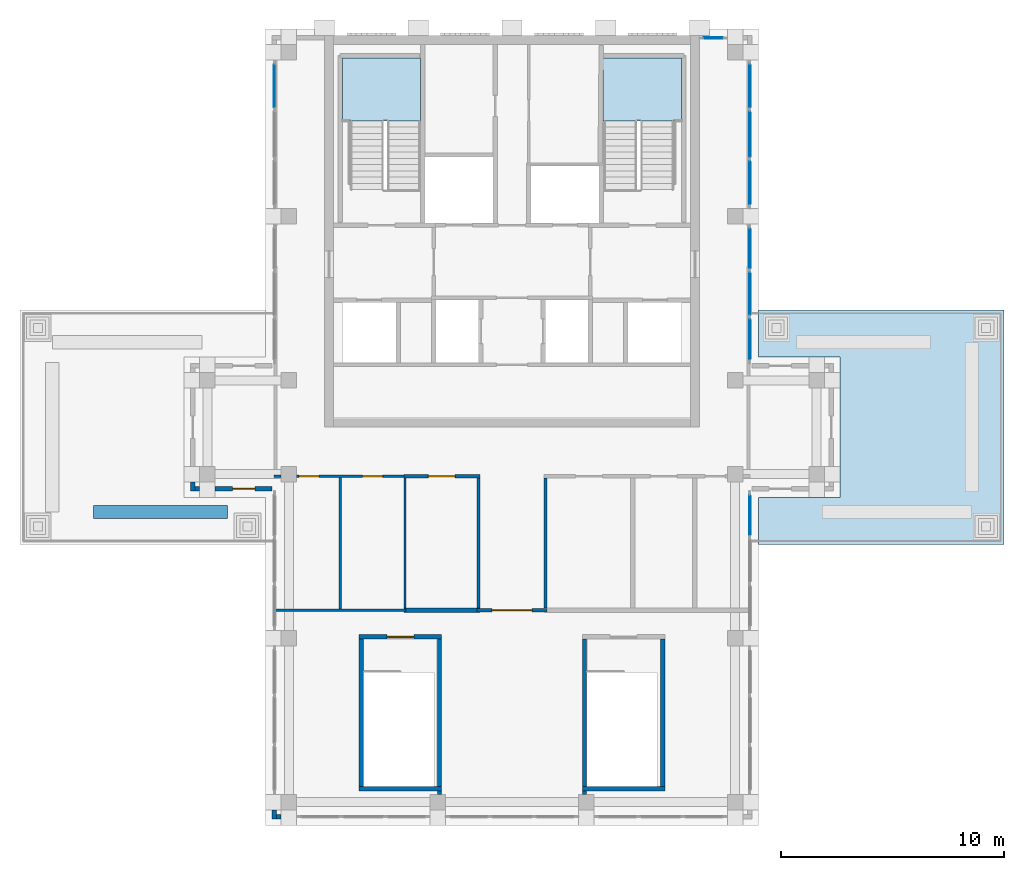
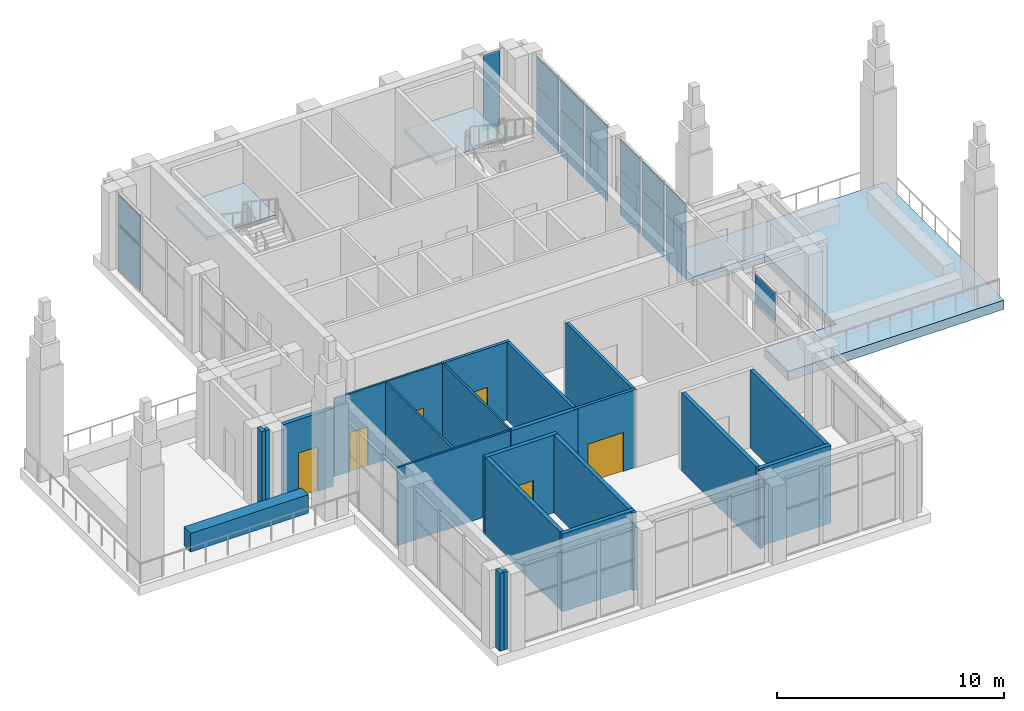
# One storey, part 6 of 12: 23 walls, 17 plates, 6 doors, 3 slabs, 6 openings, 7 elements without a shape of their own.
"""IFC4 building model written with IfcOpenShell, lengths in metres."""

from ifc_helpers import new_model, si_unit, direction, frame, frame_2d, origin, origin_2d, place, context, subcontext, project, spatial, polyline, rectangle, outline, extrude, material, layer, layer_set, type_object, element, fill, aggregate, save


model = new_model("IFC4")

# Units and contexts
model_context = context("Model", 3, precision=1e-05, world=origin(), true_north=direction((0.0, 1.0)))
body_context = subcontext(model_context, "Body", "Model", "MODEL_VIEW")
ifc_project = project(units=[si_unit("LENGTHUNIT", "METRE"), si_unit("AREAUNIT", "SQUARE_METRE"), si_unit("VOLUMEUNIT", "CUBIC_METRE"), si_unit("PLANEANGLEUNIT", "RADIAN"), si_unit("MASSUNIT", "GRAM", prefix="KILO")], contexts=[model_context])

# Site, building, storey
site_placement = place(None, origin())
site = spatial("IfcSite", under=ifc_project, at=site_placement, CompositionType="ELEMENT")
building_placement = place(site_placement, origin())
building = spatial("IfcBuilding", under=site, at=building_placement, Name="Vermilion Ogive Tower", CompositionType="ELEMENT")
storey_placement = place(building_placement, frame((0.0, 0.0, 298.35009765625)))
storey = spatial("IfcBuildingStorey", under=building, at=storey_placement, Name="L77", CompositionType="ELEMENT", Elevation=298.35009765625)

# Curtain wall, plate
ifc_material_1 = material(Name="Low-iron laminated glazing in aluminium frame", Category="aluminium")
curtain_wall_type = type_object("IfcCurtainWallType", Name="Curtain wall CW3", PredefinedType="NOTDEFINED", material=ifc_material_1)
curtain_wall_1_placement = place(storey_placement, origin())
curtain_wall_1 = element("IfcCurtainWall", 1, at=curtain_wall_1_placement, inside=storey, type_object=curtain_wall_type, Name="CW3 glazing X13", PredefinedType="NOTDEFINED")
ifc_material_2 = material(Name="Low-iron laminated glazing in aluminium frame", Category="aluminium")
ifc_layer_1 = layer(ifc_material_2, 0.035888671875)
ifc_layer_set_1 = layer_set([ifc_layer_1], Name="CW3 glazing panel 36")
plate_type = type_object("IfcPlateType", Name="CW3 glazing panel 36", PredefinedType="CURTAIN_PANEL", material=ifc_layer_set_1)
plate_1_placement = place(storey_placement, frame((10.64990234375, 0.25830078125, 2.5498046875), z_axis=(0.0, 0.0, 1.0), x_axis=(0.0, 1.0, 0.0)))
plate_1 = element("IfcPlate", 2, at=plate_1_placement, type_object=plate_type, Name="CW3-X13 panel 3.2", PredefinedType="CURTAIN_PANEL", context=body_context, shape_type="SweptSolid", body=[
    extrude(rectangle(XDim=1.783447265625, YDim=0.035888671875, at=origin_2d()), origin(), (0.0, 0.0, 1.0), 1.590087890625),
])
aggregate(curtain_wall_1, [plate_1])

# Curtain wall, plates
curtain_wall_2_placement = place(storey_placement, origin())
curtain_wall_2 = element("IfcCurtainWall", 3, at=curtain_wall_2_placement, inside=storey, type_object=curtain_wall_type, Name="CW3 glazing X41", PredefinedType="NOTDEFINED")
plate_2_placement = place(storey_placement, frame((10.64990234375, 8.1416015625, 0.06005859375), z_axis=(0.0, 0.0, 1.0), x_axis=(0.0, 1.0, 0.0)))
plate_2 = element("IfcPlate", 4, at=plate_2_placement, type_object=plate_type, Name="CW3-X41 panel 1.1", PredefinedType="CURTAIN_PANEL", context=body_context, shape_type="SweptSolid", body=[
    extrude(rectangle(XDim=1.783447265625, YDim=0.035888671875, at=origin_2d()), origin(), (0.0, 0.0, 1.0), 2.429931640625),
])
plate_3_placement = place(storey_placement, frame((10.64990234375, 8.1416015625, 2.5498046875), z_axis=(0.0, 0.0, 1.0), x_axis=(0.0, 1.0, 0.0)))
plate_3 = element("IfcPlate", 5, at=plate_3_placement, type_object=plate_type, Name="CW3-X41 panel 1.2", PredefinedType="CURTAIN_PANEL", context=body_context, shape_type="SweptSolid", body=[
    extrude(rectangle(XDim=1.783447265625, YDim=0.035888671875, at=origin_2d()), origin(), (0.0, 0.0, 1.0), 1.590087890625),
])
plate_4_placement = place(storey_placement, frame((10.64990234375, 10.175048828125, 0.06005859375), z_axis=(0.0, 0.0, 1.0), x_axis=(0.0, 1.0, 0.0)))
plate_4 = element("IfcPlate", 6, at=plate_4_placement, type_object=plate_type, Name="CW3-X41 panel 2.1", PredefinedType="CURTAIN_PANEL", context=body_context, shape_type="SweptSolid", body=[
    extrude(rectangle(XDim=1.88330078125, YDim=0.035888671875, at=origin_2d()), origin(), (0.0, 0.0, 1.0), 2.429931640625),
])
plate_5_placement = place(storey_placement, frame((10.64990234375, 10.175048828125, 2.5498046875), z_axis=(0.0, 0.0, 1.0), x_axis=(0.0, 1.0, 0.0)))
plate_5 = element("IfcPlate", 7, at=plate_5_placement, type_object=plate_type, Name="CW3-X41 panel 2.2", PredefinedType="CURTAIN_PANEL", context=body_context, shape_type="SweptSolid", body=[
    extrude(rectangle(XDim=1.88330078125, YDim=0.035888671875, at=origin_2d()), origin(), (0.0, 0.0, 1.0), 1.590087890625),
])
plate_6_placement = place(storey_placement, frame((10.64990234375, 12.208251953125, 0.06005859375), z_axis=(0.0, 0.0, 1.0), x_axis=(0.0, 1.0, 0.0)))
plate_6 = element("IfcPlate", 8, at=plate_6_placement, type_object=plate_type, Name="CW3-X41 panel 3.1", PredefinedType="CURTAIN_PANEL", context=body_context, shape_type="SweptSolid", body=[
    extrude(rectangle(XDim=1.783447265625, YDim=0.035888671875, at=origin_2d()), origin(), (0.0, 0.0, 1.0), 2.429931640625),
])
plate_7_placement = place(storey_placement, frame((10.64990234375, 12.208251953125, 2.5498046875), z_axis=(0.0, 0.0, 1.0), x_axis=(0.0, 1.0, 0.0)))
plate_7 = element("IfcPlate", 9, at=plate_7_placement, type_object=plate_type, Name="CW3-X41 panel 3.2", PredefinedType="CURTAIN_PANEL", context=body_context, shape_type="SweptSolid", body=[
    extrude(rectangle(XDim=1.783447265625, YDim=0.035888671875, at=origin_2d()), origin(), (0.0, 0.0, 1.0), 1.590087890625),
])
aggregate(curtain_wall_2, [plate_2, plate_3, plate_4, plate_5, plate_6, plate_7])

curtain_wall_3_placement = place(storey_placement, origin())
curtain_wall_3 = element("IfcCurtainWall", 10, at=curtain_wall_3_placement, inside=storey, type_object=curtain_wall_type, Name="CW3 glazing X42", PredefinedType="NOTDEFINED")
plate_8_placement = place(storey_placement, frame((10.64990234375, 15.158447265625, 0.06005859375), z_axis=(0.0, 0.0, 1.0), x_axis=(0.0, 1.0, 0.0)))
plate_8 = element("IfcPlate", 11, at=plate_8_placement, type_object=plate_type, Name="CW3-X42 panel 1.1", PredefinedType="CURTAIN_PANEL", context=body_context, shape_type="SweptSolid", body=[
    extrude(rectangle(XDim=1.916748046875, YDim=0.035888671875, at=origin_2d()), origin(), (0.0, 0.0, 1.0), 2.429931640625),
])
plate_9_placement = place(storey_placement, frame((10.64990234375, 15.158447265625, 2.5498046875), z_axis=(0.0, 0.0, 1.0), x_axis=(0.0, 1.0, 0.0)))
plate_9 = element("IfcPlate", 12, at=plate_9_placement, type_object=plate_type, Name="CW3-X42 panel 1.2", PredefinedType="CURTAIN_PANEL", context=body_context, shape_type="SweptSolid", body=[
    extrude(rectangle(XDim=1.916748046875, YDim=0.035888671875, at=origin_2d()), origin(), (0.0, 0.0, 1.0), 1.590087890625),
])
plate_10_placement = place(storey_placement, frame((10.64990234375, 17.324951171875, 0.06005859375), z_axis=(0.0, 0.0, 1.0), x_axis=(0.0, 1.0, 0.0)))
plate_10 = element("IfcPlate", 13, at=plate_10_placement, type_object=plate_type, Name="CW3-X42 panel 2.1", PredefinedType="CURTAIN_PANEL", context=body_context, shape_type="SweptSolid", body=[
    extrude(rectangle(XDim=2.0166015625, YDim=0.035888671875, at=origin_2d()), origin(), (0.0, 0.0, 1.0), 2.429931640625),
])
plate_11_placement = place(storey_placement, frame((10.64990234375, 17.324951171875, 2.5498046875), z_axis=(0.0, 0.0, 1.0), x_axis=(0.0, 1.0, 0.0)))
plate_11 = element("IfcPlate", 14, at=plate_11_placement, type_object=plate_type, Name="CW3-X42 panel 2.2", PredefinedType="CURTAIN_PANEL", context=body_context, shape_type="SweptSolid", body=[
    extrude(rectangle(XDim=2.0166015625, YDim=0.035888671875, at=origin_2d()), origin(), (0.0, 0.0, 1.0), 1.590087890625),
])
plate_12_placement = place(storey_placement, frame((10.64990234375, 19.49169921875, 0.06005859375), z_axis=(0.0, 0.0, 1.0), x_axis=(0.0, 1.0, 0.0)))
plate_12 = element("IfcPlate", 15, at=plate_12_placement, type_object=plate_type, Name="CW3-X42 panel 3.1", PredefinedType="CURTAIN_PANEL", context=body_context, shape_type="SweptSolid", body=[
    extrude(rectangle(XDim=1.916748046875, YDim=0.035888671875, at=origin_2d()), origin(), (0.0, 0.0, 1.0), 2.429931640625),
])
plate_13_placement = place(storey_placement, frame((10.64990234375, 19.49169921875, 2.5498046875), z_axis=(0.0, 0.0, 1.0), x_axis=(0.0, 1.0, 0.0)))
plate_13 = element("IfcPlate", 16, at=plate_13_placement, type_object=plate_type, Name="CW3-X42 panel 3.2", PredefinedType="CURTAIN_PANEL", context=body_context, shape_type="SweptSolid", body=[
    extrude(rectangle(XDim=1.916748046875, YDim=0.035888671875, at=origin_2d()), origin(), (0.0, 0.0, 1.0), 1.590087890625),
])
aggregate(curtain_wall_3, [plate_8, plate_9, plate_10, plate_11, plate_12, plate_13])

curtain_wall_4_placement = place(storey_placement, origin())
curtain_wall_4 = element("IfcCurtainWall", 17, at=curtain_wall_4_placement, inside=storey, type_object=curtain_wall_type, Name="CW3 glazing N12", PredefinedType="NOTDEFINED")
plate_14_placement = place(storey_placement, frame((9.02490234375, 21.64990234375, 0.06005859375), z_axis=(0.0, 0.0, 1.0), x_axis=(-1.0, 0.0, 0.0)))
plate_14 = element("IfcPlate", 18, at=plate_14_placement, type_object=plate_type, Name="CW3-N12 panel 1.1", PredefinedType="CURTAIN_PANEL", context=body_context, shape_type="SweptSolid", body=[
    extrude(rectangle(XDim=0.85009765625, YDim=0.035888671875, at=origin_2d()), origin(), (0.0, 0.0, 1.0), 2.429931640625),
])
plate_15_placement = place(storey_placement, frame((9.02490234375, 21.64990234375, 2.5498046875), z_axis=(0.0, 0.0, 1.0), x_axis=(-1.0, 0.0, 0.0)))
plate_15 = element("IfcPlate", 19, at=plate_15_placement, type_object=plate_type, Name="CW3-N12 panel 1.2", PredefinedType="CURTAIN_PANEL", context=body_context, shape_type="SweptSolid", body=[
    extrude(rectangle(XDim=0.85009765625, YDim=0.035888671875, at=origin_2d()), origin(), (0.0, 0.0, 1.0), 1.590087890625),
])
aggregate(curtain_wall_4, [plate_14, plate_15])

curtain_wall_5_placement = place(storey_placement, origin())
curtain_wall_5 = element("IfcCurtainWall", 20, at=curtain_wall_5_placement, inside=storey, type_object=curtain_wall_type, Name="CW3 glazing X52", PredefinedType="NOTDEFINED")
plate_16_placement = place(storey_placement, frame((-10.64990234375, 19.49169921875, 0.06005859375), z_axis=(0.0, 0.0, 1.0), x_axis=(0.0, -1.0, 0.0)))
plate_16 = element("IfcPlate", 21, at=plate_16_placement, type_object=plate_type, Name="CW3-X52 panel 1.1", PredefinedType="CURTAIN_PANEL", context=body_context, shape_type="SweptSolid", body=[
    extrude(rectangle(XDim=1.916748046875, YDim=0.035888671875, at=origin_2d()), origin(), (0.0, 0.0, 1.0), 2.429931640625),
])
plate_17_placement = place(storey_placement, frame((-10.64990234375, 19.49169921875, 2.5498046875), z_axis=(0.0, 0.0, 1.0), x_axis=(0.0, -1.0, 0.0)))
plate_17 = element("IfcPlate", 22, at=plate_17_placement, type_object=plate_type, Name="CW3-X52 panel 1.2", PredefinedType="CURTAIN_PANEL", context=body_context, shape_type="SweptSolid", body=[
    extrude(rectangle(XDim=1.916748046875, YDim=0.035888671875, at=origin_2d()), origin(), (0.0, 0.0, 1.0), 1.590087890625),
])
aggregate(curtain_wall_5, [plate_16, plate_17])

# Slab
ifc_material_3 = material(Name="Concrete B45", Category="concrete")
ifc_layer_2 = layer(ifc_material_3, 0.5)
ifc_layer_set_2 = layer_set([ifc_layer_2], Name="Post-tensioned flat plate 500 B45")
slab_type_1 = type_object("IfcSlabType", Name="Post-tensioned flat plate 500 B45", PredefinedType="FLOOR", material=ifc_layer_set_2)
slab_1_placement = place(storey_placement, frame((0.0, 0.0, -0.5)))
element("IfcSlab", 23, at=slab_1_placement, inside=storey, type_object=slab_type_1, Name="L77-TR-1", PredefinedType="FLOOR", context=body_context, shape_type="SweptSolid", body=[
    extrude(outline(polyline([(22.050048828125, -1.050048828125), (11.050048828125, -1.050048828125), (11.050048828125, 1.050048828125), (14.699951171875, 1.050048828125), (14.699951171875, 7.35009765625), (11.050048828125, 7.35009765625), (11.050048828125, 9.449951171875), (22.050048828125, 9.449951171875), (22.050048828125, -1.050048828125)])), origin(), (0.0, 0.0, 1.0), 0.5),
])

# Stair, slab
ifc_material_4 = material(Name="Concrete B40", Category="concrete")
stair_type = type_object("IfcStairType", Name="Exit stair 1500", PredefinedType="HALF_TURN_STAIR", material=ifc_material_4)
stair_1_placement = place(storey_placement, origin())
stair_1 = element("IfcStair", 24, at=stair_1_placement, inside=storey, type_object=stair_type, Name="L77 Exit Stair ST1", PredefinedType="HALF_TURN_STAIR")
ifc_material_5 = material(Name="Concrete B40", Category="concrete")
ifc_layer_3 = layer(ifc_material_5, 0.199951171875)
ifc_layer_set_3 = layer_set([ifc_layer_3], Name="Stair landing 200")
slab_type_2 = type_object("IfcSlabType", Name="Stair landing 200", PredefinedType="LANDING", material=ifc_layer_set_3)
slab_2_placement = place(storey_placement, frame((0.0, 0.0, 2.0498046875)))
slab_2 = element("IfcSlab", 25, at=slab_2_placement, type_object=slab_type_2, Name="ST1 landing 1", PredefinedType="LANDING", context=body_context, shape_type="SweptSolid", body=[
    extrude(outline(polyline([(-7.60009765625, 17.929931640625), (-7.25, 17.929931640625), (-7.25, 17.927978515625), (-5.75, 17.927978515625), (-5.75, 17.929931640625), (-5.60009765625, 17.929931640625), (-5.60009765625, 17.927978515625), (-4.10009765625, 17.927978515625), (-4.10009765625, 20.75), (-7.60009765625, 20.75), (-7.60009765625, 17.929931640625)])), origin(), (0.0, 0.0, 1.0), 0.2001953125),
])
aggregate(stair_1, [slab_2])

stair_2_placement = place(storey_placement, origin())
stair_2 = element("IfcStair", 26, at=stair_2_placement, inside=storey, type_object=stair_type, Name="L77 Exit Stair ST2", PredefinedType="HALF_TURN_STAIR")
slab_3_placement = place(storey_placement, frame((0.0, 0.0, 2.0498046875)))
slab_3 = element("IfcSlab", 27, at=slab_3_placement, type_object=slab_type_2, Name="ST2 landing 1", PredefinedType="LANDING", context=body_context, shape_type="SweptSolid", body=[
    extrude(outline(polyline([(5.60009765625, 17.929931640625), (5.75, 17.929931640625), (5.75, 17.927978515625), (7.25, 17.927978515625), (7.25, 17.929931640625), (7.60009765625, 17.929931640625), (7.60009765625, 20.75), (4.074951171875, 20.75), (4.074951171875, 17.929931640625), (4.10009765625, 17.929931640625), (4.10009765625, 17.927978515625), (5.60009765625, 17.927978515625), (5.60009765625, 17.929931640625)])), origin(), (0.0, 0.0, 1.0), 0.2001953125),
])
aggregate(stair_2, [slab_3])

# Walls
ifc_material_6 = material(Name="Gypsum board partition on steel studs", Category="steel")
ifc_layer_4 = layer(ifc_material_6, 0.10009765625)
ifc_layer_set_4 = layer_set([ifc_layer_4], Name="Partition 100 bath")
wall_type_1 = type_object("IfcWallType", Name="Partition 100 bath", PredefinedType="PARTITIONING", material=ifc_layer_set_4)
wall_1_placement = place(storey_placement, frame((-10.60009765625, -4.0, 0.0), z_axis=(0.0, 0.0, 1.0), x_axis=(1.0, 0.0, 0.0)))
element("IfcWall", 28, at=wall_1_placement, inside=storey, type_object=wall_type_1, Name="L77-FS-W-W001", PredefinedType="PARTITIONING", context=body_context, shape_type="SweptSolid", body=[
    extrude(rectangle(XDim=5.85009765625, YDim=0.10009765625, at=frame_2d((2.925048828125, 0.0))), origin(), (0.0, 0.0, 1.0), 4.199951171875),
])
wall_2_placement = place(storey_placement, frame((-10.675048828125, 2.0, 0.0), z_axis=(0.0, 0.0, 1.0), x_axis=(1.0, 0.0, 0.0)))
element("IfcWall", 29, at=wall_2_placement, inside=storey, type_object=wall_type_1, Name="L77-FS-W-W005", PredefinedType="PARTITIONING", context=body_context, shape_type="SweptSolid", body=[
    extrude(rectangle(XDim=0.324951171875, YDim=0.10009765625, at=frame_2d((0.16259765625, 0.0))), origin(), (0.0, 0.0, 1.0), 3.64990234375),
])
wall_3_placement = place(storey_placement, frame((-7.699951171875, -3.949951171875, 0.0), z_axis=(0.0, 0.0, 1.0), x_axis=(0.0, 1.0, 0.0)))
element("IfcWall", 30, at=wall_3_placement, inside=storey, type_object=wall_type_1, Name="L77-FS-W-W009", PredefinedType="PARTITIONING", context=body_context, shape_type="SweptSolid", body=[
    extrude(rectangle(XDim=5.89990234375, YDim=0.10009765625, at=frame_2d((2.949951171875, 0.0))), origin(), (0.0, 0.0, 1.0), 4.199951171875),
])
wall_4_placement = place(storey_placement, frame((-4.800048828125, -3.89990234375, 0.0), z_axis=(0.0, 0.0, 1.0), x_axis=(0.0, 1.0, 0.0)))
element("IfcWall", 31, at=wall_4_placement, inside=storey, type_object=wall_type_1, Name="L77-FS-W-W010", PredefinedType="PARTITIONING", context=body_context, shape_type="SweptSolid", body=[
    extrude(rectangle(XDim=5.824951171875, YDim=0.10009765625, at=frame_2d((2.91259765625, 0.0))), origin(), (0.0, 0.0, 1.0), 4.199951171875),
])

# Wall, openings, doors
wall_5_placement = place(storey_placement, frame((-10.35009765625, 2.0, 0.0), z_axis=(0.0, 0.0, 1.0), x_axis=(1.0, 0.0, 0.0)))
wall_5 = element("IfcWall", 32, at=wall_5_placement, inside=storey, type_object=wall_type_1, Name="L77-FS-W-W005-h1", PredefinedType="PARTITIONING", context=body_context, shape_type="SweptSolid", body=[
    extrude(rectangle(XDim=5.60009765625, YDim=0.10009765625, at=frame_2d((2.800048828125, 0.0))), origin(), (0.0, 0.0, 1.0), 4.199951171875),
])
opening_1_placement = place(wall_5_placement, frame((0.800048828125, 0.0, 0.0)))
opening_1 = element("IfcOpeningElement", 33, at=opening_1_placement, cuts=wall_5, Name="Opening L77S002", PredefinedType="OPENING", context=body_context, shape_type="SweptSolid", body=[
    extrude(rectangle(XDim=0.89990234375, YDim=2.10009765625, at=frame_2d((0.449951171875, 1.050048828125))), frame((0.0, 0.06005859375, 0.0), z_axis=(0.0, -1.0, 0.0), x_axis=(1.0, 0.0, 0.0)), (0.0, 0.0, 1.0), 0.1201171875),
])
opening_2_placement = place(wall_5_placement, frame((3.650146484375, 0.0, 0.0)))
opening_2 = element("IfcOpeningElement", 34, at=opening_2_placement, cuts=wall_5, Name="Opening L77S003", PredefinedType="OPENING", context=body_context, shape_type="SweptSolid", body=[
    extrude(rectangle(XDim=0.89990234375, YDim=2.10009765625, at=frame_2d((0.449951171875, 1.050048828125))), frame((0.0, 0.06005859375, 0.0), z_axis=(0.0, -1.0, 0.0), x_axis=(1.0, 0.0, 0.0)), (0.0, 0.0, 1.0), 0.1201171875),
])
ifc_material_7 = material(Name="Timber door leaf", Category="wood")
door_type_1 = type_object("IfcDoorType", Name="Room door 900 x 2100 FD30", OperationType="SINGLE_SWING_LEFT", PredefinedType="DOOR", material=ifc_material_7)
door_1_placement = place(opening_1_placement, origin())
door_1 = element("IfcDoor", 35, at=door_1_placement, inside=storey, type_object=door_type_1, Name="L77-FS-D-D002", OperationType="SINGLE_SWING_RIGHT", OverallHeight=2.10009765625, OverallWidth=0.89990234375, PredefinedType="DOOR", context=body_context, shape_type="SweptSolid", body=[
    extrude(rectangle(XDim=0.89990234375, YDim=2.10009765625, at=frame_2d((0.449951171875, 1.050048828125))), frame((0.0, 0.02490234375, 0.0), z_axis=(0.0, -1.0, 0.0), x_axis=(1.0, 0.0, 0.0)), (0.0, 0.0, 1.0), 0.050048828125),
])
fill(opening_1, door_1)
door_2_placement = place(opening_2_placement, origin())
door_2 = element("IfcDoor", 36, at=door_2_placement, inside=storey, type_object=door_type_1, Name="L77-FS-D-D003", OperationType="SINGLE_SWING_RIGHT", OverallHeight=2.10009765625, OverallWidth=0.89990234375, PredefinedType="DOOR", context=body_context, shape_type="SweptSolid", body=[
    extrude(rectangle(XDim=0.89990234375, YDim=2.10009765625, at=frame_2d((0.449951171875, 1.050048828125))), frame((0.0, 0.02490234375, 0.0), z_axis=(0.0, -1.0, 0.0), x_axis=(1.0, 0.0, 0.0)), (0.0, 0.0, 1.0), 0.050048828125),
])
fill(opening_2, door_2)

# Wall, opening, door
ifc_material_8 = material(Name="Gypsum board partition on steel studs", Category="steel")
ifc_layer_5 = layer(ifc_material_8, 0.14990234375)
ifc_layer_set_5 = layer_set([ifc_layer_5], Name="Partition 150 corridor")
wall_type_2 = type_object("IfcWallType", Name="Partition 150 corridor", PredefinedType="PARTITIONING", material=ifc_layer_set_5)
wall_6_placement = place(storey_placement, frame((-1.574951171875, -4.0, 0.0), z_axis=(0.0, 0.0, 1.0), x_axis=(1.0, 0.0, 0.0)))
wall_6 = element("IfcWall", 37, at=wall_6_placement, inside=storey, type_object=wall_type_2, Name="L77-FS-W-W003", PredefinedType="PARTITIONING", context=body_context, shape_type="SweptSolid", body=[
    extrude(rectangle(XDim=3.14990234375, YDim=0.14990234375, at=frame_2d((1.574951171875, 0.0))), origin(), (0.0, 0.0, 1.0), 4.199951171875),
])
opening_3_placement = place(wall_6_placement, frame((0.675048828125, 0.0, 0.0)))
opening_3 = element("IfcOpeningElement", 38, at=opening_3_placement, cuts=wall_6, Name="Opening L77S001", PredefinedType="OPENING", context=body_context, shape_type="SweptSolid", body=[
    extrude(rectangle(XDim=1.800048828125, YDim=2.10009765625, at=frame_2d((0.89990234375, 1.050048828125))), frame((0.0, 0.0849609375, 0.0), z_axis=(0.0, -1.0, 0.0), x_axis=(1.0, 0.0, 0.0)), (0.0, 0.0, 1.0), 0.169921875),
])
ifc_material_9 = material(Name="Timber door leaf", Category="wood")
door_type_2 = type_object("IfcDoorType", Name="External door 1800 x 2100 FD30", OperationType="DOUBLE_DOOR_SINGLE_SWING", PredefinedType="DOOR", material=ifc_material_9)
door_3_placement = place(opening_3_placement, origin())
door_3 = element("IfcDoor", 39, at=door_3_placement, inside=storey, type_object=door_type_2, Name="L77-FS-D-D001", OperationType="DOUBLE_DOOR_SINGLE_SWING", OverallHeight=2.10009765625, OverallWidth=1.800048828125, PredefinedType="DOOR", context=body_context, shape_type="SweptSolid", body=[
    extrude(rectangle(XDim=1.800048828125, YDim=2.10009765625, at=frame_2d((0.89990234375, 1.050048828125))), frame((0.0, 0.02490234375, 0.0), z_axis=(0.0, -1.0, 0.0), x_axis=(1.0, 0.0, 0.0)), (0.0, 0.0, 1.0), 0.050048828125),
])
fill(opening_3, door_3)

wall_7_placement = place(storey_placement, frame((-4.85009765625, 2.0, 0.0), z_axis=(0.0, 0.0, 1.0), x_axis=(1.0, 0.0, 0.0)))
wall_7 = element("IfcWall", 40, at=wall_7_placement, inside=storey, type_object=wall_type_2, Name="L77-FS-W-W006", PredefinedType="PARTITIONING", context=body_context, shape_type="SweptSolid", body=[
    extrude(rectangle(XDim=3.425048828125, YDim=0.14990234375, at=frame_2d((1.71240234375, 0.0))), origin(), (0.0, 0.0, 1.0), 4.199951171875),
])
opening_4_placement = place(wall_7_placement, frame((1.10009765625, 0.0, 0.0)))
opening_4 = element("IfcOpeningElement", 41, at=opening_4_placement, cuts=wall_7, Name="Opening L77S004", PredefinedType="OPENING", context=body_context, shape_type="SweptSolid", body=[
    extrude(rectangle(XDim=1.199951171875, YDim=2.10009765625, at=frame_2d((0.60009765625, 1.050048828125))), frame((0.0, 0.0849609375, 0.0), z_axis=(0.0, -1.0, 0.0), x_axis=(1.0, 0.0, 0.0)), (0.0, 0.0, 1.0), 0.169921875),
])
ifc_material_10 = material(Name="Timber door leaf", Category="wood")
door_type_3 = type_object("IfcDoorType", Name="Room door 1200 x 2100 FD30", OperationType="SINGLE_SWING_LEFT", PredefinedType="DOOR", material=ifc_material_10)
door_4_placement = place(opening_4_placement, origin())
door_4 = element("IfcDoor", 42, at=door_4_placement, inside=storey, type_object=door_type_3, Name="L77-FS-D-D004", OperationType="SINGLE_SWING_LEFT", OverallHeight=2.10009765625, OverallWidth=1.199951171875, PredefinedType="DOOR", context=body_context, shape_type="SweptSolid", body=[
    extrude(rectangle(XDim=1.199951171875, YDim=2.10009765625, at=frame_2d((0.60009765625, 1.050048828125))), frame((0.0, 0.02490234375, 0.0), z_axis=(0.0, -1.0, 0.0), x_axis=(1.0, 0.0, 0.0)), (0.0, 0.0, 1.0), 0.050048828125),
])
fill(opening_4, door_4)

# Walls
for number, where, z_axis, x_axis, name in (
    (43, (-1.5, -3.89990234375, 0.0), (0.0, 0.0, 1.0), (0.0, 1.0, 0.0), "L77-FS-W-W011"),
    (44, (1.5, -3.89990234375, 0.0), (0.0, 0.0, 1.0), (0.0, 1.0, 0.0), "L77-FS-W-W012"),
):
    element("IfcWall", number, at=place(storey_placement, frame(where, z_axis=z_axis, x_axis=x_axis)), inside=storey, type_object=wall_type_2, Name=name, PredefinedType="PARTITIONING", context=body_context, shape_type="SweptSolid", body=[
        extrude(rectangle(XDim=5.824951171875, YDim=0.14990234375, at=frame_2d((2.91259765625, 0.0))), origin(), (0.0, 0.0, 1.0), 4.199951171875),
    ])
ifc_material_11 = material(Name="Gypsum board partition on steel studs", Category="steel")
ifc_layer_6 = layer(ifc_material_11, 0.199951171875)
ifc_layer_set_6 = layer_set([ifc_layer_6], Name="Partition 200 party")
wall_type_3 = type_object("IfcWallType", Name="Partition 200 party", PredefinedType="PARTITIONING", material=ifc_layer_set_6)
wall_8_placement = place(storey_placement, frame((-4.85009765625, -4.0, 0.0), z_axis=(0.0, 0.0, 1.0), x_axis=(1.0, 0.0, 0.0)))
element("IfcWall", 45, at=wall_8_placement, inside=storey, type_object=wall_type_3, Name="L77-FS-W-W002", PredefinedType="PARTITIONING", context=body_context, shape_type="SweptSolid", body=[
    extrude(rectangle(XDim=3.425048828125, YDim=0.199951171875, at=frame_2d((1.71240234375, 0.0))), origin(), (0.0, 0.0, 1.0), 4.199951171875),
])
ifc_material_12 = material(Name="Concrete B60", Category="concrete")
ifc_layer_7 = layer(ifc_material_12, 0.199951171875)
ifc_layer_set_7 = layer_set([ifc_layer_7], Name="Stair enclosure wall 200 Concrete B60")
wall_type_4 = type_object("IfcWallType", Name="Stair enclosure wall 200 Concrete B60", PredefinedType="PARTITIONING", material=ifc_layer_set_7)
wall_9_placement = place(storey_placement, frame((3.14990234375, -12.0, 0.0), z_axis=(0.0, 0.0, 1.0), x_axis=(1.0, 0.0, 0.0)))
element("IfcWall", 46, at=wall_9_placement, inside=storey, type_object=wall_type_4, Name="L77-SW-ST6-S1", PredefinedType="PARTITIONING", context=body_context, shape_type="SweptSolid", body=[
    extrude(rectangle(XDim=3.7001953125, YDim=0.199951171875, at=frame_2d((1.85009765625, 0.0))), origin(), (0.0, 0.0, 1.0), 4.199951171875),
])
wall_10_placement = place(storey_placement, frame((3.25, -12.25, 0.0), z_axis=(0.0, 0.0, 1.0), x_axis=(0.0, 1.0, 0.0)))
element("IfcWall", 47, at=wall_10_placement, inside=storey, type_object=wall_type_4, Name="L77-SW-ST6-W1", PredefinedType="PARTITIONING", context=body_context, shape_type="SweptSolid", body=[
    extrude(rectangle(XDim=6.949951171875, YDim=0.199951171875, at=frame_2d((3.47509765625, 0.0))), origin(), (0.0, 0.0, 1.0), 4.199951171875),
])
wall_11_placement = place(storey_placement, frame((6.75, -11.89990234375, 0.0), z_axis=(0.0, 0.0, 1.0), x_axis=(0.0, 1.0, 0.0)))
element("IfcWall", 48, at=wall_11_placement, inside=storey, type_object=wall_type_4, Name="L77-SW-ST6-E1", PredefinedType="PARTITIONING", context=body_context, shape_type="SweptSolid", body=[
    extrude(rectangle(XDim=6.599853515625, YDim=0.199951171875, at=frame_2d((3.2998046875, 0.0))), origin(), (0.0, 0.0, 1.0), 4.199951171875),
])
wall_12_placement = place(storey_placement, frame((-6.85009765625, -12.0, 0.0), z_axis=(0.0, 0.0, 1.0), x_axis=(1.0, 0.0, 0.0)))
element("IfcWall", 49, at=wall_12_placement, inside=storey, type_object=wall_type_4, Name="L77-SW-ST7-S1", PredefinedType="PARTITIONING", context=body_context, shape_type="SweptSolid", body=[
    extrude(rectangle(XDim=3.7001953125, YDim=0.199951171875, at=frame_2d((1.85009765625, 0.0))), origin(), (0.0, 0.0, 1.0), 4.199951171875),
])

# Wall, opening, door
wall_13_placement = place(storey_placement, frame((-6.85009765625, -5.199951171875, 0.0), z_axis=(0.0, 0.0, 1.0), x_axis=(1.0, 0.0, 0.0)))
wall_13 = element("IfcWall", 50, at=wall_13_placement, inside=storey, type_object=wall_type_4, Name="L77-SW-ST7-N1", PredefinedType="PARTITIONING", context=body_context, shape_type="SweptSolid", body=[
    extrude(rectangle(XDim=3.7001953125, YDim=0.199951171875, at=frame_2d((1.85009765625, 0.0))), origin(), (0.0, 0.0, 1.0), 4.199951171875),
])
opening_5_placement = place(wall_13_placement, frame((1.25, 0.0, 0.0)))
opening_5 = element("IfcOpeningElement", 51, at=opening_5_placement, cuts=wall_13, Name="Opening L77-SD7", PredefinedType="OPENING", context=body_context, shape_type="SweptSolid", body=[
    extrude(rectangle(XDim=1.199951171875, YDim=2.10009765625, at=frame_2d((0.60009765625, 1.050048828125))), frame((0.0, 0.10986328125, 0.0), z_axis=(0.0, -1.0, 0.0), x_axis=(1.0, 0.0, 0.0)), (0.0, 0.0, 1.0), 0.219970703125),
])
ifc_material_13 = material(Name="Timber door leaf", Category="wood")
door_type_4 = type_object("IfcDoorType", Name="Stair door 1200 x 2100 FD60S", OperationType="SINGLE_SWING_LEFT", PredefinedType="DOOR", material=ifc_material_13)
door_5_placement = place(opening_5_placement, origin())
door_5 = element("IfcDoor", 52, at=door_5_placement, inside=storey, type_object=door_type_4, Name="Stair door ST7", OperationType="SINGLE_SWING_LEFT", OverallHeight=2.10009765625, OverallWidth=1.199951171875, PredefinedType="DOOR", context=body_context, shape_type="SweptSolid", body=[
    extrude(rectangle(XDim=1.199951171875, YDim=2.10009765625, at=frame_2d((0.60009765625, 1.050048828125))), frame((0.0, 0.02490234375, 0.0), z_axis=(0.0, -1.0, 0.0), x_axis=(1.0, 0.0, 0.0)), (0.0, 0.0, 1.0), 0.050048828125),
])
fill(opening_5, door_5)

# Walls
wall_14_placement = place(storey_placement, frame((-6.75, -11.89990234375, 0.0), z_axis=(0.0, 0.0, 1.0), x_axis=(0.0, 1.0, 0.0)))
element("IfcWall", 53, at=wall_14_placement, inside=storey, type_object=wall_type_4, Name="L77-SW-ST7-W1", PredefinedType="PARTITIONING", context=body_context, shape_type="SweptSolid", body=[
    extrude(rectangle(XDim=6.599853515625, YDim=0.199951171875, at=frame_2d((3.2998046875, 0.0))), origin(), (0.0, 0.0, 1.0), 4.199951171875),
])
wall_15_placement = place(storey_placement, frame((-3.25, -12.25, 0.0), z_axis=(0.0, 0.0, 1.0), x_axis=(0.0, 1.0, 0.0)))
element("IfcWall", 54, at=wall_15_placement, inside=storey, type_object=wall_type_4, Name="L77-SW-ST7-E1", PredefinedType="PARTITIONING", context=body_context, shape_type="SweptSolid", body=[
    extrude(rectangle(XDim=6.949951171875, YDim=0.199951171875, at=frame_2d((3.47509765625, 0.0))), origin(), (0.0, 0.0, 1.0), 4.199951171875),
])
ifc_material_14 = material(Name="Concrete B40", Category="concrete")
ifc_layer_8 = layer(ifc_material_14, 0.60009765625)
ifc_layer_set_8 = layer_set([ifc_layer_8], Name="Terrace planter")
wall_type_5 = type_object("IfcWallType", Name="Terrace planter", PredefinedType="USERDEFINED", material=ifc_layer_set_8)
wall_16_placement = place(storey_placement, frame((-12.75, 0.39990234375, 0.0), z_axis=(0.0, 0.0, 1.0), x_axis=(-1.0, 0.0, 0.0)))
element("IfcWall", 55, at=wall_16_placement, inside=storey, type_object=wall_type_5, Name="Terrace planter 1.1.1", ObjectType="PLANTER", PredefinedType="USERDEFINED", context=body_context, shape_type="SweptSolid", body=[
    extrude(rectangle(XDim=6.0, YDim=0.60009765625, at=frame_2d((3.0, 0.0))), origin(), (0.0, 0.0, 1.0), 1.0),
])
ifc_material_15 = material(Name="Aluminium window wall framing", Category="aluminium")
ifc_layer_9 = layer(ifc_material_15, 0.199951171875)
ifc_layer_set_9 = layer_set([ifc_layer_9], Name="Window wall")
wall_type_6 = type_object("IfcWallType", Name="Window wall", PredefinedType="STANDARD", material=ifc_layer_set_9)
wall_17_placement = place(storey_placement, frame((-10.550048828125, -13.25, 0.0), z_axis=(0.0, 0.0, 1.0), x_axis=(1.0, 0.0, 0.0)))
element("IfcWall", 56, at=wall_17_placement, inside=storey, type_object=wall_type_6, Name="Window wall S1", PredefinedType="STANDARD", context=body_context, shape_type="SweptSolid", body=[
    extrude(rectangle(XDim=0.199951171875, YDim=0.199951171875, at=frame_2d((0.10009765625, 0.0))), origin(), (0.0, 0.0, 1.0), 4.199951171875),
])
wall_18_placement = place(storey_placement, frame((-14.300048828125, 1.75, 0.0), z_axis=(0.0, 0.0, 1.0), x_axis=(0.0, -1.0, 0.0)))
element("IfcWall", 57, at=wall_18_placement, inside=storey, type_object=wall_type_6, Name="Window wall W3", PredefinedType="STANDARD", context=body_context, shape_type="SweptSolid", body=[
    extrude(rectangle(XDim=0.39990234375, YDim=0.199951171875, at=frame_2d((0.199951171875, 0.0))), origin(), (0.0, 0.0, 1.0), 4.199951171875),
])
wall_19_placement = place(storey_placement, frame((-14.199951171875, 1.449951171875, 0.0), z_axis=(0.0, 0.0, 1.0), x_axis=(1.0, 0.0, 0.0)))
element("IfcWall", 58, at=wall_19_placement, inside=storey, type_object=wall_type_6, Name="Window wall X71", PredefinedType="STANDARD", context=body_context, shape_type="SweptSolid", body=[
    extrude(rectangle(XDim=0.199951171875, YDim=0.199951171875, at=frame_2d((0.10009765625, 0.0))), origin(), (0.0, 0.0, 1.0), 4.199951171875),
])

# Wall, opening, door
wall_20_placement = place(storey_placement, frame((-13.300048828125, 1.449951171875, 0.0), z_axis=(0.0, 0.0, 1.0), x_axis=(1.0, 0.0, 0.0)))
wall_20 = element("IfcWall", 59, at=wall_20_placement, inside=storey, type_object=wall_type_6, Name="Window wall X72", PredefinedType="STANDARD", context=body_context, shape_type="SweptSolid", body=[
    extrude(rectangle(XDim=2.550048828125, YDim=0.199951171875, at=frame_2d((1.27490234375, 0.0))), origin(), (0.0, 0.0, 1.0), 4.199951171875),
])
opening_6_placement = place(wall_20_placement, frame((0.77490234375, 0.0, 0.0)))
opening_6 = element("IfcOpeningElement", 60, at=opening_6_placement, cuts=wall_20, Name="Opening D1-X7X", PredefinedType="OPENING", context=body_context, shape_type="SweptSolid", body=[
    extrude(rectangle(XDim=1.0, YDim=2.39990234375, at=frame_2d((0.5, 1.199951171875))), frame((0.0, 0.10986328125, 0.0), z_axis=(0.0, -1.0, 0.0), x_axis=(1.0, 0.0, 0.0)), (0.0, 0.0, 1.0), 0.219970703125),
])
ifc_material_16 = material(Name="Aluminium framed glazed door", Category="aluminium")
door_type_5 = type_object("IfcDoorType", Name="Balcony door D1", OperationType="SINGLE_SWING_LEFT", PredefinedType="DOOR", material=ifc_material_16)
door_6_placement = place(opening_6_placement, origin())
door_6 = element("IfcDoor", 61, at=door_6_placement, inside=storey, type_object=door_type_5, Name="Balcony door X7X", OperationType="SINGLE_SWING_LEFT", OverallHeight=2.39990234375, OverallWidth=1.0, PredefinedType="DOOR", context=body_context, shape_type="SweptSolid", body=[
    extrude(rectangle(XDim=1.0, YDim=2.39990234375, at=frame_2d((0.5, 1.199951171875))), frame((0.0, 0.02490234375, 0.0), z_axis=(0.0, -1.0, 0.0), x_axis=(1.0, 0.0, 0.0)), (0.0, 0.0, 1.0), 0.050048828125),
])
fill(opening_6, door_6)

# Wall
wall_21_placement = place(storey_placement, frame((-10.64990234375, -12.949951171875, 0.0), z_axis=(0.0, 0.0, 1.0), x_axis=(0.0, -1.0, 0.0)))
element("IfcWall", 62, at=wall_21_placement, inside=storey, type_object=wall_type_6, Name="Window wall X83", PredefinedType="STANDARD", context=body_context, shape_type="SweptSolid", body=[
    extrude(rectangle(XDim=0.400146484375, YDim=0.199951171875, at=frame_2d((0.2001953125, 0.0))), origin(), (0.0, 0.0, 1.0), 4.199951171875),
])

save(model, "model.ifc")
